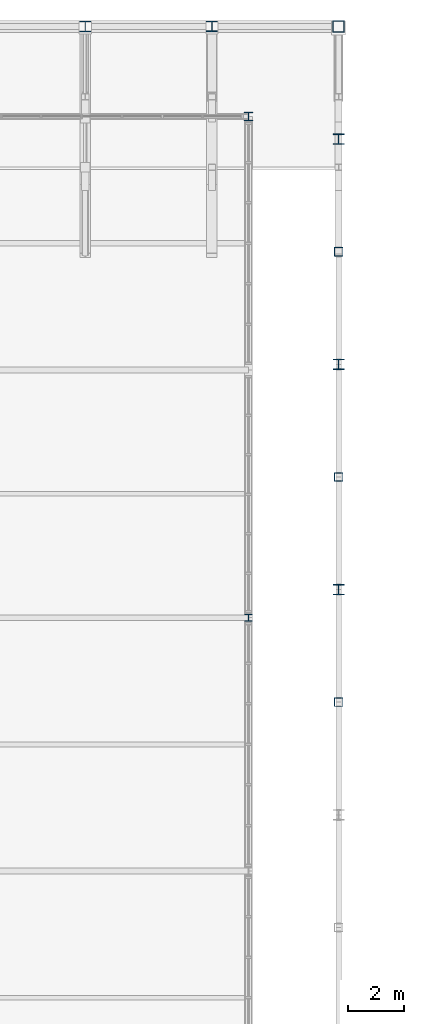
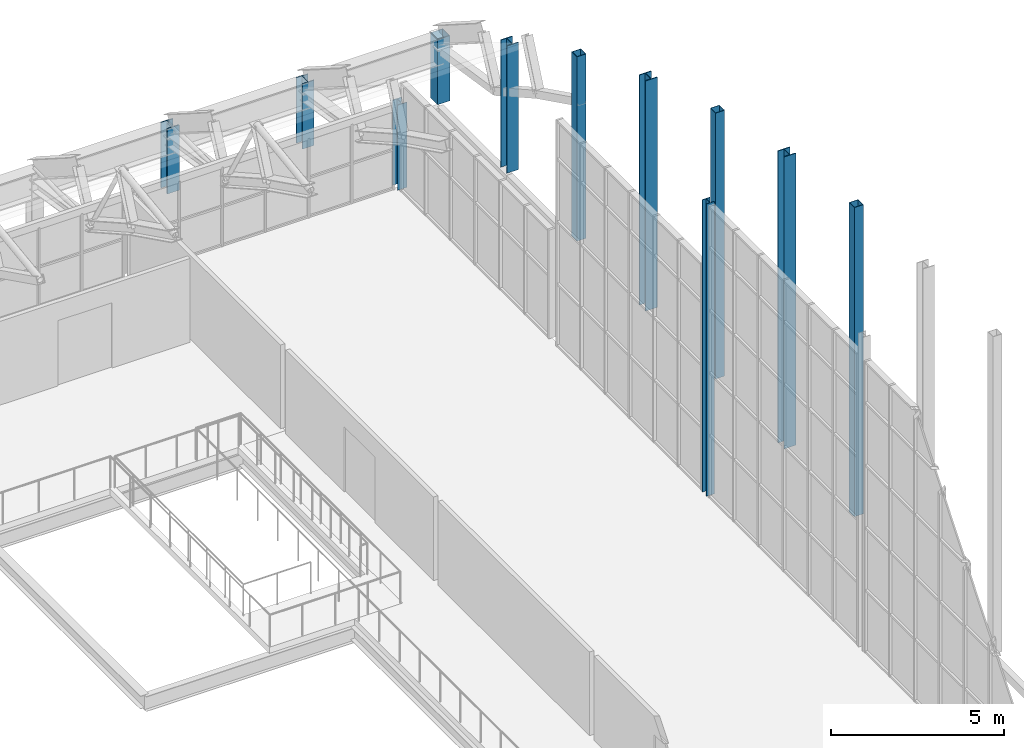
# One storey, part 22 of 134: 11 columns.
"""IFC4 building model written with IfcOpenShell, lengths in metres."""

from ifc_helpers import new_model, si_unit, direction, frame, origin, origin_2d, place, context, subcontext, project, spatial, hollow_rectangle, i_section, extrude, material, material_profile, profile_set, type_object, element, save


model = new_model("IFC4")

# Units and contexts
model_context = context("Model", 3, precision=1e-05, world=origin(), true_north=direction((0.0, 1.0)))
body_context = subcontext(model_context, "Body", "Model", "MODEL_VIEW")
ifc_project = project(units=[si_unit("LENGTHUNIT", "METRE"), si_unit("AREAUNIT", "SQUARE_METRE"), si_unit("VOLUMEUNIT", "CUBIC_METRE"), si_unit("PLANEANGLEUNIT", "RADIAN"), si_unit("MASSUNIT", "GRAM", prefix="KILO")], contexts=[model_context])

# Site, building, storey
site_placement = place(None, origin())
site = spatial("IfcSite", under=ifc_project, at=site_placement, CompositionType="ELEMENT")
building_placement = place(site_placement, origin())
building = spatial("IfcBuilding", under=site, at=building_placement, Name="Cazmaro Siding Exhibition Halls", CompositionType="ELEMENT")
storey_placement = place(building_placement, frame((0.0, 0.0, 12.0)))
storey = spatial("IfcBuildingStorey", under=building, at=storey_placement, Name="L02", CompositionType="ELEMENT", Elevation=12.0)

# Columns
ifc_material_1 = material(Name="Steel ASTM A992 Grade 50", Category="steel")
ifc_material_profile_1 = material_profile(ifc_material_1, i_section(OverallWidth=0.39208984375, OverallDepth=0.3759765625, WebThickness=0.01708984375, FlangeThickness=0.028076171875, at=origin_2d()), Name="W14X145")
ifc_profile_set_1 = profile_set([ifc_material_profile_1], Name="Steel ASTM A992 Grade 50")
column_type_1 = type_object("IfcColumnType", Name="C-03", PredefinedType="COLUMN", material=ifc_profile_set_1)
column_1_placement = place(storey_placement, frame((166.5, 124.0, 0.0), z_axis=(0.0, 0.0, 1.0), x_axis=(1.0, 0.0, 0.0)))
element("IfcColumn", 1, at=column_1_placement, inside=storey, type_object=column_type_1, Name="Column C-03 COL-0168", PredefinedType="COLUMN", context=body_context, shape_type="SweptSolid", body=[
    extrude(i_section(OverallWidth=0.39208984375, OverallDepth=0.3759765625, WebThickness=0.01708984375, FlangeThickness=0.028076171875, at=origin_2d()), origin(), (0.0, 0.0, 1.0), 2.300048828125),
])
column_2_placement = place(storey_placement, frame((171.0, 104.0, 0.0), z_axis=(0.0, 0.0, 1.0), x_axis=(1.0, 0.0, 0.0)))
element("IfcColumn", 2, at=column_2_placement, inside=storey, type_object=column_type_1, Name="Column C-03 COL-0246", PredefinedType="COLUMN", context=body_context, shape_type="SweptSolid", body=[
    extrude(i_section(OverallWidth=0.39208984375, OverallDepth=0.3759765625, WebThickness=0.01708984375, FlangeThickness=0.028076171875, at=origin_2d()), origin(), (0.0, 0.0, 1.0), 10.277099609375),
])
column_3_placement = place(storey_placement, frame((171.0, 112.0, 0.0), z_axis=(0.0, 0.0, 1.0), x_axis=(1.0, 0.0, 0.0)))
element("IfcColumn", 3, at=column_3_placement, inside=storey, type_object=column_type_1, Name="Column C-03 COL-0252", PredefinedType="COLUMN", context=body_context, shape_type="SweptSolid", body=[
    extrude(i_section(OverallWidth=0.39208984375, OverallDepth=0.3759765625, WebThickness=0.01708984375, FlangeThickness=0.028076171875, at=origin_2d()), origin(), (0.0, 0.0, 1.0), 8.10205078125),
])
column_4_placement = place(storey_placement, frame((171.0, 120.0, 0.0), z_axis=(0.0, 0.0, 1.0), x_axis=(1.0, 0.0, 0.0)))
element("IfcColumn", 4, at=column_4_placement, inside=storey, type_object=column_type_1, Name="Column C-03 COL-0258", PredefinedType="COLUMN", context=body_context, shape_type="SweptSolid", body=[
    extrude(i_section(OverallWidth=0.39208984375, OverallDepth=0.3759765625, WebThickness=0.01708984375, FlangeThickness=0.028076171875, at=origin_2d()), origin(), (0.0, 0.0, 1.0), 4.47900390625),
])
ifc_material_2 = material(Name="Steel ASTM A992 Grade 50", Category="steel")
ifc_material_profile_2 = material_profile(ifc_material_2, i_section(OverallWidth=0.304931640625, OverallDepth=0.306884765625, WebThickness=0.010009765625, FlangeThickness=0.014892578125, at=origin_2d()), Name="W12X65")
ifc_profile_set_2 = profile_set([ifc_material_profile_2], Name="Steel ASTM A992 Grade 50")
column_type_2 = type_object("IfcColumnType", Name="C-06", PredefinedType="COLUMN", material=ifc_profile_set_2)
column_5_placement = place(storey_placement, frame((167.800048828125, 120.800048828125, 0.0), z_axis=(0.0, 0.0, 1.0), x_axis=(1.0, 0.0, 0.0)))
element("IfcColumn", 5, at=column_5_placement, inside=storey, type_object=column_type_2, Name="Column C-06 COL-0390", PredefinedType="COLUMN", context=body_context, shape_type="SweptSolid", body=[
    extrude(i_section(OverallWidth=0.304931640625, OverallDepth=0.306884765625, WebThickness=0.010009765625, FlangeThickness=0.014892578125, at=origin_2d()), origin(), (0.0, 0.0, 1.0), 3.0),
])
ifc_material_3 = material(Name="Steel ASTM A992 Grade 50", Category="steel")
ifc_material_profile_3 = material_profile(ifc_material_3, i_section(OverallWidth=0.39892578125, OverallDepth=0.386962890625, WebThickness=0.02099609375, FlangeThickness=0.032958984375, at=origin_2d()), Name="W14X176")
ifc_profile_set_3 = profile_set([ifc_material_profile_3], Name="Steel ASTM A992 Grade 50")
column_type_3 = type_object("IfcColumnType", Name="C-11", PredefinedType="COLUMN", material=ifc_profile_set_3)
column_6_placement = place(storey_placement, frame((162.0, 124.0, 0.0), z_axis=(0.0, 0.0, 1.0), x_axis=(1.0, 0.0, 0.0)))
element("IfcColumn", 6, at=column_6_placement, inside=storey, type_object=column_type_3, Name="Column C-11 COL-0162", PredefinedType="COLUMN", context=body_context, shape_type="SweptSolid", body=[
    extrude(i_section(OverallWidth=0.39892578125, OverallDepth=0.386962890625, WebThickness=0.02099609375, FlangeThickness=0.032958984375, at=origin_2d()), origin(), (0.0, 0.0, 1.0), 2.300048828125),
])
ifc_material_4 = material(Name="Steel ASTM A992 Grade 50", Category="steel")
ifc_material_profile_4 = material_profile(ifc_material_4, i_section(OverallWidth=0.257080078125, OverallDepth=0.263916015625, WebThickness=0.011962890625, FlangeThickness=0.02001953125, at=origin_2d()), Name="W10X68")
ifc_profile_set_4 = profile_set([ifc_material_profile_4], Name="Steel ASTM A992 Grade 50")
column_type_4 = type_object("IfcColumnType", Name="C-14", PredefinedType="COLUMN", material=ifc_profile_set_4)
column_7_placement = place(storey_placement, frame((167.800048828125, 103.0, 0.0), z_axis=(0.0, 0.0, 1.0), x_axis=(1.0, 0.0, 0.0)))
element("IfcColumn", 7, at=column_7_placement, inside=storey, type_object=column_type_4, Name="Column C-14 COL-0448", PredefinedType="COLUMN", context=body_context, shape_type="SweptSolid", body=[
    extrude(i_section(OverallWidth=0.257080078125, OverallDepth=0.263916015625, WebThickness=0.011962890625, FlangeThickness=0.02001953125, at=origin_2d()), origin(), (0.0, 0.0, 1.0), 10.2880859375),
])
ifc_material_5 = material(Name="Steel ASTM A500 Grade C", Category="steel")
ifc_material_profile_5 = material_profile(ifc_material_5, hollow_rectangle(XDim=0.406005859375, YDim=0.406005859375, WallThickness=0.014892578125, at=origin_2d()), Name="HSS16X16X5/8")
ifc_profile_set_5 = profile_set([ifc_material_profile_5], Name="Steel ASTM A500 Grade C")
column_type_5 = type_object("IfcColumnType", Name="PL-01", PredefinedType="PILASTER", material=ifc_profile_set_5)
column_8_placement = place(storey_placement, frame((171.0, 124.0, 0.0), z_axis=(0.0, 0.0, 1.0), x_axis=(1.0, 0.0, 0.0)))
element("IfcColumn", 8, at=column_8_placement, inside=storey, type_object=column_type_5, Name="Column PL-01 COL-0174", PredefinedType="PILASTER", context=body_context, shape_type="SweptSolid", body=[
    extrude(hollow_rectangle(XDim=0.406005859375, YDim=0.406005859375, WallThickness=0.014892578125, at=origin_2d()), origin(), (0.0, 0.0, 1.0), 2.300048828125),
])
ifc_material_6 = material(Name="Steel ASTM A500 Grade C", Category="steel")
ifc_material_profile_6 = material_profile(ifc_material_6, hollow_rectangle(XDim=0.304931640625, YDim=0.304931640625, WallThickness=0.014892578125, at=origin_2d()), Name="HSS12X12X5/8")
ifc_profile_set_6 = profile_set([ifc_material_profile_6], Name="Steel ASTM A500 Grade C")
column_type_6 = type_object("IfcColumnType", Name="PL-02", PredefinedType="PILASTER", material=ifc_profile_set_6)
column_9_placement = place(storey_placement, frame((171.0, 100.0, 0.0), z_axis=(0.0, 0.0, 1.0), x_axis=(1.0, 0.0, 0.0)))
element("IfcColumn", 9, at=column_9_placement, inside=storey, type_object=column_type_6, Name="Column PL-02 COL-0243", PredefinedType="PILASTER", context=body_context, shape_type="SweptSolid", body=[
    extrude(hollow_rectangle(XDim=0.304931640625, YDim=0.304931640625, WallThickness=0.014892578125, at=origin_2d()), origin(), (0.0, 0.0, 1.0), 10.883056640625),
])
column_10_placement = place(storey_placement, frame((171.0, 108.0, 0.0), z_axis=(0.0, 0.0, 1.0), x_axis=(1.0, 0.0, 0.0)))
element("IfcColumn", 10, at=column_10_placement, inside=storey, type_object=column_type_6, Name="Column PL-02 COL-0249", PredefinedType="PILASTER", context=body_context, shape_type="SweptSolid", body=[
    extrude(hollow_rectangle(XDim=0.304931640625, YDim=0.304931640625, WallThickness=0.014892578125, at=origin_2d()), origin(), (0.0, 0.0, 1.0), 9.35595703125),
])
column_11_placement = place(storey_placement, frame((171.0, 116.0, 0.0), z_axis=(0.0, 0.0, 1.0), x_axis=(1.0, 0.0, 0.0)))
element("IfcColumn", 11, at=column_11_placement, inside=storey, type_object=column_type_6, Name="Column PL-02 COL-0255", PredefinedType="PILASTER", context=body_context, shape_type="SweptSolid", body=[
    extrude(hollow_rectangle(XDim=0.304931640625, YDim=0.304931640625, WallThickness=0.014892578125, at=origin_2d()), origin(), (0.0, 0.0, 1.0), 6.489013671875),
])

save(model, "model.ifc")
